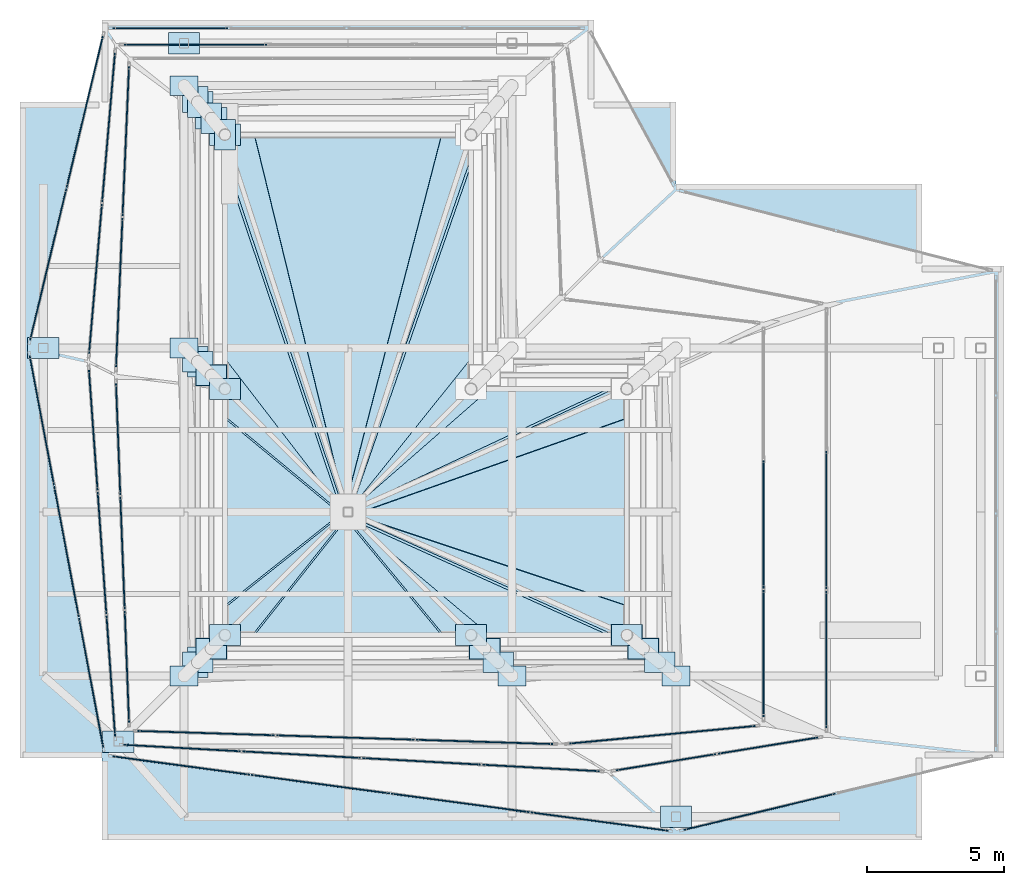
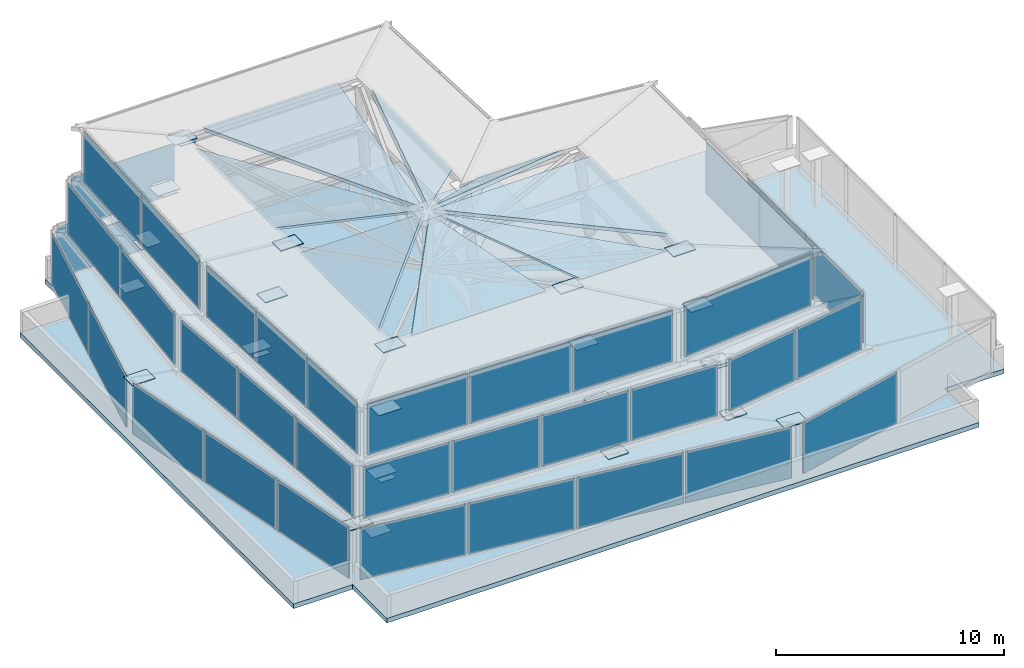
# One storey, part 12 of 15: 75 plates, 9 slabs, 16 elements without a shape of their own.
"""IFC4 building model written with IfcOpenShell, lengths in metres."""

from ifc_helpers import new_model, si_unit, direction, frame, origin, origin_2d, place, context, subcontext, project, spatial, polyline, rectangle, outline, extrude, material, layer, layer_set, type_object, element, aggregate, save


model = new_model("IFC4")

# Units and contexts
model_context = context("Model", 3, precision=1e-05, world=origin(), true_north=direction((0.0, 1.0)))
body_context = subcontext(model_context, "Body", "Model", "MODEL_VIEW")
ifc_project = project(units=[si_unit("LENGTHUNIT", "METRE"), si_unit("AREAUNIT", "SQUARE_METRE"), si_unit("VOLUMEUNIT", "CUBIC_METRE"), si_unit("PLANEANGLEUNIT", "RADIAN"), si_unit("MASSUNIT", "GRAM", prefix="KILO"), si_unit("THERMODYNAMICTEMPERATUREUNIT", "KELVIN"), si_unit("POWERUNIT", "WATT")], contexts=[model_context])

# Site, building, storey
site_placement = place(None, origin())
site = spatial("IfcSite", under=ifc_project, at=site_placement, CompositionType="ELEMENT")
building_placement = place(site_placement, origin())
building = spatial("IfcBuilding", under=site, at=building_placement, Name="Svarakhadi Broadcast Tower", CompositionType="ELEMENT")
storey_placement = place(building_placement, frame((0.0, 0.0, 310.5)))
storey = spatial("IfcBuildingStorey", under=building, at=storey_placement, Name="RF", CompositionType="ELEMENT", Elevation=310.5)

# Curtain wall, plates
ifc_material_1 = material(Name="Anodised Bronze Aluminium AA 6063-T6", Category="aluminium")
ifc_layer_1 = layer(ifc_material_1, 0.260009765625)
ifc_layer_set_1 = layer_set([ifc_layer_1], Name="Anodised Bronze Aluminium AA 6063-T6")
curtain_wall_type = type_object("IfcCurtainWallType", Name="CW_Sys_07", PredefinedType="NOTDEFINED", material=ifc_layer_set_1)
curtain_wall_1_placement = place(storey_placement, origin())
curtain_wall_1 = element("IfcCurtainWall", 1, at=curtain_wall_1_placement, inside=storey, type_object=curtain_wall_type, Name="Crown Tier 1 Faceted Curtain Wall 1", PredefinedType="NOTDEFINED")
ifc_material_2 = material(Name="Triple Laminated Solar-Control Crown Glass 42 mm", Category="glass")
ifc_layer_2 = layer(ifc_material_2, 0.0419921875)
ifc_layer_set_2 = layer_set([ifc_layer_2], Name="Triple Laminated Solar-Control Crown Glass 42 mm")
plate_type_1 = type_object("IfcPlateType", Name="CW_Sys_07_Pnl", PredefinedType="CURTAIN_PANEL", material=ifc_layer_set_2)
plate_1_placement = place(storey_placement, frame((5.8984375, 2.72509765625, 0.08984375), z_axis=(0.0, 0.0, 1.0), x_axis=(0.991144626711, -0.132786779994, 0.0)))
plate_1 = element("IfcPlate", 2, at=plate_1_placement, type_object=plate_type_1, Name="CW-07 panel 1.1", PredefinedType="CURTAIN_PANEL", context=body_context, shape_type="SweptSolid", body=[
    extrude(rectangle(XDim=5.026611328125, YDim=0.0419921875, at=origin_2d()), origin(), (0.0, 0.0, 1.0), 2.719970703125),
])
plate_2_placement = place(storey_placement, frame((10.991943359375, 2.042724609375, 0.08984375), z_axis=(0.0, 0.0, 1.0), x_axis=(0.991144626711, -0.132786779994, 0.0)))
plate_2 = element("IfcPlate", 3, at=plate_2_placement, type_object=plate_type_1, Name="CW-07 panel 2.1", PredefinedType="CURTAIN_PANEL", context=body_context, shape_type="SweptSolid", body=[
    extrude(rectangle(XDim=5.07177734375, YDim=0.0419921875, at=origin_2d()), origin(), (0.0, 0.0, 1.0), 2.719970703125),
])
plate_3_placement = place(storey_placement, frame((16.10791015625, 1.357421875, 0.08984375), z_axis=(0.0, 0.0, 1.0), x_axis=(0.991144626711, -0.132786779994, 0.0)))
plate_3 = element("IfcPlate", 4, at=plate_3_placement, type_object=plate_type_1, Name="CW-07 panel 3.1", PredefinedType="CURTAIN_PANEL", context=body_context, shape_type="SweptSolid", body=[
    extrude(rectangle(XDim=5.07177734375, YDim=0.0419921875, at=origin_2d()), origin(), (0.0, 0.0, 1.0), 2.719970703125),
])
plate_4_placement = place(storey_placement, frame((21.20166015625, 0.6748046875, 0.08984375), z_axis=(0.0, 0.0, 1.0), x_axis=(0.991144626711, -0.132786779994, 0.0)))
plate_4 = element("IfcPlate", 5, at=plate_4_placement, type_object=plate_type_1, Name="CW-07 panel 4.1", PredefinedType="CURTAIN_PANEL", context=body_context, shape_type="SweptSolid", body=[
    extrude(rectangle(XDim=5.026611328125, YDim=0.0419921875, at=origin_2d()), origin(), (0.0, 0.0, 1.0), 2.719970703125),
])
aggregate(curtain_wall_1, [plate_1, plate_2, plate_3, plate_4])

# Curtain wall, plate
curtain_wall_2_placement = place(storey_placement, origin())
curtain_wall_2 = element("IfcCurtainWall", 6, at=curtain_wall_2_placement, inside=storey, type_object=curtain_wall_type, Name="Crown Tier 1 Faceted Curtain Wall 2", PredefinedType="NOTDEFINED")
plate_5_placement = place(storey_placement, frame((27.053955078125, 1.03076171875, 0.08984375), z_axis=(0.0, 0.0, 1.0), x_axis=(0.972537468468, 0.232746369309, 0.0)))
plate_5 = element("IfcPlate", 7, at=plate_5_placement, type_object=plate_type_1, Name="CW-07 panel 1.1", PredefinedType="CURTAIN_PANEL", context=body_context, shape_type="SweptSolid", body=[
    extrude(rectangle(XDim=5.66015625, YDim=0.0419921875, at=origin_2d()), origin(), (0.0, 0.0, 1.0), 2.719970703125),
])
aggregate(curtain_wall_2, [plate_5])

curtain_wall_3_placement = place(storey_placement, origin())
curtain_wall_3 = element("IfcCurtainWall", 8, at=curtain_wall_3_placement, inside=storey, type_object=curtain_wall_type, Name="Crown Tier 1 Faceted Curtain Wall 6", PredefinedType="NOTDEFINED")
plate_6_placement = place(storey_placement, frame((5.5, 29.699951171875, 0.08984375), z_axis=(0.0, 0.0, 1.0), x_axis=(-1.0, 0.0, 0.0)))
plate_6 = element("IfcPlate", 9, at=plate_6_placement, type_object=plate_type_1, Name="CW-07 panel 4.1", PredefinedType="CURTAIN_PANEL", context=body_context, shape_type="SweptSolid", body=[
    extrude(rectangle(XDim=4.179931640625, YDim=0.0419921875, at=origin_2d()), origin(), (0.0, 0.0, 1.0), 2.719970703125),
])
aggregate(curtain_wall_3, [plate_6])

# Curtain wall, plates
curtain_wall_4_placement = place(storey_placement, origin())
curtain_wall_4 = element("IfcCurtainWall", 10, at=curtain_wall_4_placement, inside=storey, type_object=curtain_wall_type, Name="Crown Tier 1 Faceted Curtain Wall 7", PredefinedType="NOTDEFINED")
plate_7_placement = place(storey_placement, frame((2.369140625, 26.64599609375, 0.08984375), z_axis=(0.0, 0.0, 1.0), x_axis=(-0.232746369309, -0.972537468468, 0.0)))
plate_7 = element("IfcPlate", 11, at=plate_7_placement, type_object=plate_type_1, Name="CW-07 panel 1.1", PredefinedType="CURTAIN_PANEL", context=body_context, shape_type="SweptSolid", body=[
    extrude(rectangle(XDim=5.66015625, YDim=0.0419921875, at=origin_2d()), origin(), (0.0, 0.0, 1.0), 2.719970703125),
])
plate_8_placement = place(storey_placement, frame((1.03076171875, 21.053955078125, 0.08984375), z_axis=(0.0, 0.0, 1.0), x_axis=(-0.232746369309, -0.972537468468, 0.0)))
plate_8 = element("IfcPlate", 12, at=plate_8_placement, type_object=plate_type_1, Name="CW-07 panel 2.1", PredefinedType="CURTAIN_PANEL", context=body_context, shape_type="SweptSolid", body=[
    extrude(rectangle(XDim=5.66015625, YDim=0.0419921875, at=origin_2d()), origin(), (0.0, 0.0, 1.0), 2.719970703125),
])
aggregate(curtain_wall_4, [plate_7, plate_8])

curtain_wall_5_placement = place(storey_placement, origin())
curtain_wall_5 = element("IfcCurtainWall", 13, at=curtain_wall_5_placement, inside=storey, type_object=curtain_wall_type, Name="Crown Tier 1 Faceted Curtain Wall 8", PredefinedType="NOTDEFINED")
plate_9_placement = place(storey_placement, frame((0.7978515625, 15.350341796875, 0.08984375), z_axis=(0.0, 0.0, 1.0), x_axis=(0.184690465344, -0.982796739927, 0.0)))
plate_9 = element("IfcPlate", 14, at=plate_9_placement, type_object=plate_type_1, Name="CW-07 panel 1.1", PredefinedType="CURTAIN_PANEL", context=body_context, shape_type="SweptSolid", body=[
    extrude(rectangle(XDim=4.77197265625, YDim=0.0419921875, at=origin_2d()), origin(), (0.0, 0.0, 1.0), 2.719970703125),
])
plate_10_placement = place(storey_placement, frame((1.699951171875, 10.550048828125, 0.08984375), z_axis=(0.0, 0.0, 1.0), x_axis=(0.184690465344, -0.982796739927, 0.0)))
plate_10 = element("IfcPlate", 15, at=plate_10_placement, type_object=plate_type_1, Name="CW-07 panel 2.1", PredefinedType="CURTAIN_PANEL", context=body_context, shape_type="SweptSolid", body=[
    extrude(rectangle(XDim=4.81689453125, YDim=0.0419921875, at=origin_2d()), origin(), (0.0, 0.0, 1.0), 2.719970703125),
])
plate_11_placement = place(storey_placement, frame((2.60205078125, 5.74951171875, 0.08984375), z_axis=(0.0, 0.0, 1.0), x_axis=(0.184690465344, -0.982796739927, 0.0)))
plate_11 = element("IfcPlate", 16, at=plate_11_placement, type_object=plate_type_1, Name="CW-07 panel 3.1", PredefinedType="CURTAIN_PANEL", context=body_context, shape_type="SweptSolid", body=[
    extrude(rectangle(XDim=4.77197265625, YDim=0.0419921875, at=origin_2d()), origin(), (0.0, 0.0, 1.0), 2.719970703125),
])
aggregate(curtain_wall_5, [plate_9, plate_10, plate_11])

curtain_wall_6_placement = place(storey_placement, origin())
curtain_wall_6 = element("IfcCurtainWall", 17, at=curtain_wall_6_placement, inside=storey, type_object=curtain_wall_type, Name="Crown Tier 2 Faceted Curtain Wall 1", PredefinedType="NOTDEFINED")
plate_12_placement = place(storey_placement, frame((5.937255859375, 3.364501953125, 2.990234375), z_axis=(0.0, 0.0, 1.0), x_axis=(0.998460318216, -0.055470649433, 0.0)))
plate_12 = element("IfcPlate", 18, at=plate_12_placement, type_object=plate_type_1, Name="CW-07 panel 1.1", PredefinedType="CURTAIN_PANEL", context=body_context, shape_type="SweptSolid", body=[
    extrude(rectangle(XDim=4.261962890625, YDim=0.0419921875, at=origin_2d()), origin(), (0.0, 0.0, 1.0), 2.719970703125),
])
plate_13_placement = place(storey_placement, frame((10.304931640625, 3.1220703125, 2.990234375), z_axis=(0.0, 0.0, 1.0), x_axis=(0.998460318216, -0.055470649433, 0.0)))
plate_13 = element("IfcPlate", 19, at=plate_13_placement, type_object=plate_type_1, Name="CW-07 panel 2.1", PredefinedType="CURTAIN_PANEL", context=body_context, shape_type="SweptSolid", body=[
    extrude(rectangle(XDim=4.306884765625, YDim=0.0419921875, at=origin_2d()), origin(), (0.0, 0.0, 1.0), 2.719970703125),
])
plate_14_placement = place(storey_placement, frame((14.695068359375, 2.8779296875, 2.990234375), z_axis=(0.0, 0.0, 1.0), x_axis=(0.998460318216, -0.055470649433, 0.0)))
plate_14 = element("IfcPlate", 20, at=plate_14_placement, type_object=plate_type_1, Name="CW-07 panel 3.1", PredefinedType="CURTAIN_PANEL", context=body_context, shape_type="SweptSolid", body=[
    extrude(rectangle(XDim=4.306884765625, YDim=0.0419921875, at=origin_2d()), origin(), (0.0, 0.0, 1.0), 2.719970703125),
])
plate_15_placement = place(storey_placement, frame((19.062744140625, 2.635498046875, 2.990234375), z_axis=(0.0, 0.0, 1.0), x_axis=(0.998460318216, -0.055470649433, 0.0)))
plate_15 = element("IfcPlate", 21, at=plate_15_placement, type_object=plate_type_1, Name="CW-07 panel 4.1", PredefinedType="CURTAIN_PANEL", context=body_context, shape_type="SweptSolid", body=[
    extrude(rectangle(XDim=4.261962890625, YDim=0.0419921875, at=origin_2d()), origin(), (0.0, 0.0, 1.0), 2.719970703125),
])
aggregate(curtain_wall_6, [plate_12, plate_13, plate_14, plate_15])

curtain_wall_7_placement = place(storey_placement, origin())
curtain_wall_7 = element("IfcCurtainWall", 22, at=curtain_wall_7_placement, inside=storey, type_object=curtain_wall_type, Name="Crown Tier 2 Faceted Curtain Wall 2", PredefinedType="NOTDEFINED")
plate_16_placement = place(storey_placement, frame((23.630859375, 2.84619140625, 2.990234375), z_axis=(0.0, 0.0, 1.0), x_axis=(0.987052941176, 0.16039479828, 0.0)))
plate_16 = element("IfcPlate", 23, at=plate_16_placement, type_object=plate_type_1, Name="CW-07 panel 1.1", PredefinedType="CURTAIN_PANEL", context=body_context, shape_type="SweptSolid", body=[
    extrude(rectangle(XDim=3.697509765625, YDim=0.0419921875, at=origin_2d()), origin(), (0.0, 0.0, 1.0), 2.719970703125),
])
plate_17_placement = place(storey_placement, frame((27.369140625, 3.453857421875, 2.990234375), z_axis=(0.0, 0.0, 1.0), x_axis=(0.987052941176, 0.16039479828, 0.0)))
plate_17 = element("IfcPlate", 24, at=plate_17_placement, type_object=plate_type_1, Name="CW-07 panel 2.1", PredefinedType="CURTAIN_PANEL", context=body_context, shape_type="SweptSolid", body=[
    extrude(rectangle(XDim=3.697509765625, YDim=0.0419921875, at=origin_2d()), origin(), (0.0, 0.0, 1.0), 2.719970703125),
])
aggregate(curtain_wall_7, [plate_16, plate_17])

curtain_wall_8_placement = place(storey_placement, origin())
curtain_wall_8 = element("IfcCurtainWall", 25, at=curtain_wall_8_placement, inside=storey, type_object=curtain_wall_type, Name="Crown Tier 2 Faceted Curtain Wall 3", PredefinedType="NOTDEFINED")
plate_18_placement = place(storey_placement, frame((29.5, 6.6025390625, 2.990234375), z_axis=(0.0, 0.0, 1.0), x_axis=(0.0, 1.0, 0.0)))
plate_18 = element("IfcPlate", 26, at=plate_18_placement, type_object=plate_type_1, Name="CW-07 panel 1.1", PredefinedType="CURTAIN_PANEL", context=body_context, shape_type="SweptSolid", body=[
    extrude(rectangle(XDim=4.985107421875, YDim=0.0419921875, at=origin_2d()), origin(), (0.0, 0.0, 1.0), 2.719970703125),
])
plate_19_placement = place(storey_placement, frame((29.5, 11.699951171875, 2.990234375), z_axis=(0.0, 0.0, 1.0), x_axis=(0.0, 1.0, 0.0)))
plate_19 = element("IfcPlate", 27, at=plate_19_placement, type_object=plate_type_1, Name="CW-07 panel 2.1", PredefinedType="CURTAIN_PANEL", context=body_context, shape_type="SweptSolid", body=[
    extrude(rectangle(XDim=5.030029296875, YDim=0.0419921875, at=origin_2d()), origin(), (0.0, 0.0, 1.0), 2.719970703125),
])
aggregate(curtain_wall_8, [plate_18, plate_19])

# Curtain wall, plate
curtain_wall_9_placement = place(storey_placement, origin())
curtain_wall_9 = element("IfcCurtainWall", 28, at=curtain_wall_9_placement, inside=storey, type_object=curtain_wall_type, Name="Crown Tier 2 Faceted Curtain Wall 6", PredefinedType="NOTDEFINED")
plate_20_placement = place(storey_placement, frame((6.419189453125, 29.10009765625, 2.990234375), z_axis=(0.0, 0.0, 1.0), x_axis=(-1.0, 0.0, 0.0)))
plate_20 = element("IfcPlate", 29, at=plate_20_placement, type_object=plate_type_1, Name="CW-07 panel 3.1", PredefinedType="CURTAIN_PANEL", context=body_context, shape_type="SweptSolid", body=[
    extrude(rectangle(XDim=5.21826171875, YDim=0.0419921875, at=origin_2d()), origin(), (0.0, 0.0, 1.0), 2.719970703125),
])
aggregate(curtain_wall_9, [plate_20])

# Curtain wall, plates
curtain_wall_10_placement = place(storey_placement, origin())
curtain_wall_10 = element("IfcCurtainWall", 30, at=curtain_wall_10_placement, inside=storey, type_object=curtain_wall_type, Name="Crown Tier 2 Faceted Curtain Wall 7", PredefinedType="NOTDEFINED")
plate_21_placement = place(storey_placement, frame((3.238525390625, 26.06787109375, 2.990234375), z_axis=(0.0, 0.0, 1.0), x_axis=(-0.085887731099, -0.996304821652, 0.0)))
plate_21 = element("IfcPlate", 31, at=plate_21_placement, type_object=plate_type_1, Name="CW-07 panel 1.1", PredefinedType="CURTAIN_PANEL", context=body_context, shape_type="SweptSolid", body=[
    extrude(rectangle(XDim=5.466552734375, YDim=0.0419921875, at=origin_2d()), origin(), (0.0, 0.0, 1.0), 2.719970703125),
])
plate_22_placement = place(storey_placement, frame((2.761474609375, 20.531982421875, 2.990234375), z_axis=(0.0, 0.0, 1.0), x_axis=(-0.085887731099, -0.996304821652, 0.0)))
plate_22 = element("IfcPlate", 32, at=plate_22_placement, type_object=plate_type_1, Name="CW-07 panel 2.1", PredefinedType="CURTAIN_PANEL", context=body_context, shape_type="SweptSolid", body=[
    extrude(rectangle(XDim=5.466552734375, YDim=0.0419921875, at=origin_2d()), origin(), (0.0, 0.0, 1.0), 2.719970703125),
])
aggregate(curtain_wall_10, [plate_21, plate_22])

curtain_wall_11_placement = place(storey_placement, origin())
curtain_wall_11 = element("IfcCurtainWall", 33, at=curtain_wall_11_placement, inside=storey, type_object=curtain_wall_type, Name="Crown Tier 2 Faceted Curtain Wall 8", PredefinedType="NOTDEFINED")
plate_23_placement = place(storey_placement, frame((2.6787109375, 14.998046875, 2.990234375), z_axis=(0.0, 0.0, 1.0), x_axis=(0.071242868326, -0.997458998512, 0.0)))
plate_23 = element("IfcPlate", 34, at=plate_23_placement, type_object=plate_type_1, Name="CW-07 panel 1.1", PredefinedType="CURTAIN_PANEL", context=body_context, shape_type="SweptSolid", body=[
    extrude(rectangle(XDim=4.39697265625, YDim=0.0419921875, at=origin_2d()), origin(), (0.0, 0.0, 1.0), 2.719970703125),
])
plate_24_placement = place(storey_placement, frame((3.0, 10.5, 2.990234375), z_axis=(0.0, 0.0, 1.0), x_axis=(0.071242868326, -0.997458998512, 0.0)))
plate_24 = element("IfcPlate", 35, at=plate_24_placement, type_object=plate_type_1, Name="CW-07 panel 2.1", PredefinedType="CURTAIN_PANEL", context=body_context, shape_type="SweptSolid", body=[
    extrude(rectangle(XDim=4.44189453125, YDim=0.0419921875, at=origin_2d()), origin(), (0.0, 0.0, 1.0), 2.719970703125),
])
plate_25_placement = place(storey_placement, frame((3.3212890625, 6.001953125, 2.990234375), z_axis=(0.0, 0.0, 1.0), x_axis=(0.071242868326, -0.997458998512, 0.0)))
plate_25 = element("IfcPlate", 36, at=plate_25_placement, type_object=plate_type_1, Name="CW-07 panel 3.1", PredefinedType="CURTAIN_PANEL", context=body_context, shape_type="SweptSolid", body=[
    extrude(rectangle(XDim=4.39697265625, YDim=0.0419921875, at=origin_2d()), origin(), (0.0, 0.0, 1.0), 2.719970703125),
])
aggregate(curtain_wall_11, [plate_23, plate_24, plate_25])

curtain_wall_12_placement = place(storey_placement, origin())
curtain_wall_12 = element("IfcCurtainWall", 37, at=curtain_wall_12_placement, inside=storey, type_object=curtain_wall_type, Name="Crown Tier 3 Faceted Curtain Wall 1", PredefinedType="NOTDEFINED")
plate_26_placement = place(storey_placement, frame((6.802490234375, 3.911376953125, 5.89013671875), z_axis=(0.0, 0.0, 1.0), x_axis=(0.999499823974, -0.031624387345, 0.0)))
plate_26 = element("IfcPlate", 38, at=plate_26_placement, type_object=plate_type_1, Name="CW-07 panel 1.1", PredefinedType="CURTAIN_PANEL", context=body_context, shape_type="SweptSolid", body=[
    extrude(rectangle(XDim=4.987548828125, YDim=0.0419921875, at=origin_2d()), origin(), (0.0, 0.0, 1.0), 2.719970703125),
])
plate_27_placement = place(storey_placement, frame((11.89990234375, 3.75, 5.89013671875), z_axis=(0.0, 0.0, 1.0), x_axis=(0.999499823974, -0.031624387345, 0.0)))
plate_27 = element("IfcPlate", 39, at=plate_27_placement, type_object=plate_type_1, Name="CW-07 panel 2.1", PredefinedType="CURTAIN_PANEL", context=body_context, shape_type="SweptSolid", body=[
    extrude(rectangle(XDim=5.03271484375, YDim=0.0419921875, at=origin_2d()), origin(), (0.0, 0.0, 1.0), 2.719970703125),
])
plate_28_placement = place(storey_placement, frame((16.99755859375, 3.588623046875, 5.89013671875), z_axis=(0.0, 0.0, 1.0), x_axis=(0.999499823974, -0.031624387345, 0.0)))
plate_28 = element("IfcPlate", 40, at=plate_28_placement, type_object=plate_type_1, Name="CW-07 panel 3.1", PredefinedType="CURTAIN_PANEL", context=body_context, shape_type="SweptSolid", body=[
    extrude(rectangle(XDim=4.987548828125, YDim=0.0419921875, at=origin_2d()), origin(), (0.0, 0.0, 1.0), 2.719970703125),
])
aggregate(curtain_wall_12, [plate_26, plate_27, plate_28])

# Curtain wall, plate
curtain_wall_13_placement = place(storey_placement, origin())
curtain_wall_13 = element("IfcCurtainWall", 41, at=curtain_wall_13_placement, inside=storey, type_object=curtain_wall_type, Name="Crown Tier 3 Faceted Curtain Wall 2", PredefinedType="NOTDEFINED")
plate_29_placement = place(storey_placement, frame((23.5, 3.85009765625, 5.89013671875), z_axis=(0.0, 0.0, 1.0), x_axis=(0.995555300285, 0.094178787815, 0.0)))
plate_29 = element("IfcPlate", 42, at=plate_29_placement, type_object=plate_type_1, Name="CW-07 panel 1.1", PredefinedType="CURTAIN_PANEL", context=body_context, shape_type="SweptSolid", body=[
    extrude(rectangle(XDim=6.81298828125, YDim=0.0419921875, at=origin_2d()), origin(), (0.0, 0.0, 1.0), 2.719970703125),
])
aggregate(curtain_wall_13, [plate_29])

# Curtain wall, plates
curtain_wall_14_placement = place(storey_placement, origin())
curtain_wall_14 = element("IfcCurtainWall", 43, at=curtain_wall_14_placement, inside=storey, type_object=curtain_wall_type, Name="Crown Tier 3 Faceted Curtain Wall 3", PredefinedType="NOTDEFINED")
plate_30_placement = place(storey_placement, frame((27.199951171875, 6.819091796875, 5.89013671875), z_axis=(0.0, 0.0, 1.0), x_axis=(0.0, 1.0, 0.0)))
plate_30 = element("IfcPlate", 44, at=plate_30_placement, type_object=plate_type_1, Name="CW-07 panel 1.1", PredefinedType="CURTAIN_PANEL", context=body_context, shape_type="SweptSolid", body=[
    extrude(rectangle(XDim=4.618408203125, YDim=0.0419921875, at=origin_2d()), origin(), (0.0, 0.0, 1.0), 2.719970703125),
])
plate_31_placement = place(storey_placement, frame((27.199951171875, 11.550048828125, 5.89013671875), z_axis=(0.0, 0.0, 1.0), x_axis=(0.0, 1.0, 0.0)))
plate_31 = element("IfcPlate", 45, at=plate_31_placement, type_object=plate_type_1, Name="CW-07 panel 2.1", PredefinedType="CURTAIN_PANEL", context=body_context, shape_type="SweptSolid", body=[
    extrude(rectangle(XDim=4.663330078125, YDim=0.0419921875, at=origin_2d()), origin(), (0.0, 0.0, 1.0), 2.719970703125),
])
aggregate(curtain_wall_14, [plate_30, plate_31])

curtain_wall_15_placement = place(storey_placement, origin())
curtain_wall_15 = element("IfcCurtainWall", 46, at=curtain_wall_15_placement, inside=storey, type_object=curtain_wall_type, Name="Crown Tier 3 Faceted Curtain Wall 7", PredefinedType="NOTDEFINED")
plate_32_placement = place(storey_placement, frame((3.869384765625, 25.567626953125, 5.89013671875), z_axis=(0.0, 0.0, 1.0), x_axis=(-0.043058841143, -0.999072538007, 0.0)))
plate_32 = element("IfcPlate", 47, at=plate_32_placement, type_object=plate_type_1, Name="CW-07 panel 1.1", PredefinedType="CURTAIN_PANEL", context=body_context, shape_type="SweptSolid", body=[
    extrude(rectangle(XDim=5.450439453125, YDim=0.0419921875, at=origin_2d()), origin(), (0.0, 0.0, 1.0), 2.719970703125),
])
plate_33_placement = place(storey_placement, frame((3.630615234375, 20.032470703125, 5.89013671875), z_axis=(0.0, 0.0, 1.0), x_axis=(-0.043058841143, -0.999072538007, 0.0)))
plate_33 = element("IfcPlate", 48, at=plate_33_placement, type_object=plate_type_1, Name="CW-07 panel 2.1", PredefinedType="CURTAIN_PANEL", context=body_context, shape_type="SweptSolid", body=[
    extrude(rectangle(XDim=5.450439453125, YDim=0.0419921875, at=origin_2d()), origin(), (0.0, 0.0, 1.0), 2.719970703125),
])
aggregate(curtain_wall_15, [plate_32, plate_33])

curtain_wall_16_placement = place(storey_placement, origin())
curtain_wall_16 = element("IfcCurtainWall", 49, at=curtain_wall_16_placement, inside=storey, type_object=curtain_wall_type, Name="Crown Tier 3 Faceted Curtain Wall 8", PredefinedType="NOTDEFINED")
plate_34_placement = place(storey_placement, frame((3.58984375, 14.664306640625, 5.89013671875), z_axis=(0.0, 0.0, 1.0), x_axis=(0.038425789272, -0.999261456636, 0.0)))
plate_34 = element("IfcPlate", 50, at=plate_34_placement, type_object=plate_type_1, Name="CW-07 panel 1.1", PredefinedType="CURTAIN_PANEL", context=body_context, shape_type="SweptSolid", body=[
    extrude(rectangle(XDim=4.054931640625, YDim=0.0419921875, at=origin_2d()), origin(), (0.0, 0.0, 1.0), 2.719970703125),
])
plate_35_placement = place(storey_placement, frame((3.75, 10.5, 5.89013671875), z_axis=(0.0, 0.0, 1.0), x_axis=(0.038425789272, -0.999261456636, 0.0)))
plate_35 = element("IfcPlate", 51, at=plate_35_placement, type_object=plate_type_1, Name="CW-07 panel 2.1", PredefinedType="CURTAIN_PANEL", context=body_context, shape_type="SweptSolid", body=[
    extrude(rectangle(XDim=4.099853515625, YDim=0.0419921875, at=origin_2d()), origin(), (0.0, 0.0, 1.0), 2.719970703125),
])
plate_36_placement = place(storey_placement, frame((3.91015625, 6.335693359375, 5.89013671875), z_axis=(0.0, 0.0, 1.0), x_axis=(0.038425789272, -0.999261456636, 0.0)))
plate_36 = element("IfcPlate", 52, at=plate_36_placement, type_object=plate_type_1, Name="CW-07 panel 3.1", PredefinedType="CURTAIN_PANEL", context=body_context, shape_type="SweptSolid", body=[
    extrude(rectangle(XDim=4.054931640625, YDim=0.0419921875, at=origin_2d()), origin(), (0.0, 0.0, 1.0), 2.719970703125),
])
aggregate(curtain_wall_16, [plate_34, plate_35, plate_36])

# Plates
ifc_material_3 = material(Name="Steel S460ML (IS 2062 E450BR)", Category="steel")
ifc_layer_3 = layer(ifc_material_3, 0.031982421875)
ifc_layer_set_3 = layer_set([ifc_layer_3], Name="Steel S460ML (IS 2062 E450BR)")
plate_type_2 = type_object("IfcPlateType", Name="Cap_Plate_CP01", PredefinedType="USERDEFINED", material=ifc_layer_set_3)
for number, where, z_axis, x_axis, name in (
    (53, (6.0, 6.0, 0.0), (0.0, 0.0, 1.0), (1.0, 0.0, 0.0), "Crown Spire Leg Baseplate SL-01-BP01"),
    (54, (18.0, 6.0, 0.0), (0.0, 0.0, 1.0), (1.0, 0.0, 0.0), "Crown Spire Leg Baseplate SL-01-BP02"),
    (55, (24.0, 6.0, 0.0), (0.0, 0.0, 1.0), (1.0, 0.0, 0.0), "Crown Spire Leg Baseplate SL-01-BP03"),
    (56, (6.0, 27.60009765625, 0.0), (0.0, 0.0, 1.0), (1.0, 0.0, 0.0), "Crown Spire Leg Baseplate SL-01-BP07"),
    (57, (6.0, 18.0, 0.0), (0.0, 0.0, 1.0), (1.0, 0.0, 0.0), "Crown Spire Leg Baseplate SL-01-BP08"),
):
    element("IfcPlate", number, at=place(storey_placement, frame(where, z_axis=z_axis, x_axis=x_axis)), inside=storey, type_object=plate_type_2, Name=name, ObjectType="FLANGE_PLATE", PredefinedType="USERDEFINED", context=body_context, shape_type="SweptSolid", body=[
        extrude(rectangle(XDim=1.02001953125, YDim=0.719970703125, at=origin_2d()), origin(), (0.0, 0.0, 1.0), 0.031982421875),
    ])
ifc_layer_4 = layer(ifc_material_3, 0.034912109375)
ifc_layer_set_4 = layer_set([ifc_layer_4], Name="Steel S460ML (IS 2062 E450BR)")
plate_type_3 = type_object("IfcPlateType", Name="Outrigger_Node_ON03", PredefinedType="SHEET", material=ifc_layer_set_4)
for number, where, z_axis, x_axis, name in (
    (58, (6.5, 6.5, 2.70263671875), (0.0, 0.0, 1.0), (1.0, 0.0, 0.0), "RF Brace End Connection Gusset Plate ON-03-E0708"),
    (59, (17.5, 6.5, 2.552734375), (0.0, 0.0, 1.0), (1.0, 0.0, 0.0), "RF Brace End Connection Gusset Plate ON-03-E0709"),
    (60, (17.5, 6.5, 2.70263671875), (0.0, 0.0, 1.0), (1.0, 0.0, 0.0), "RF Brace End Connection Gusset Plate ON-03-E0710"),
    (61, (23.39990234375, 6.5, 2.552734375), (0.0, 0.0, 1.0), (1.0, 0.0, 0.0), "RF Brace End Connection Gusset Plate ON-03-E0711"),
    (62, (23.39990234375, 6.5, 2.70263671875), (0.0, 0.0, 1.0), (1.0, 0.0, 0.0), "RF Brace End Connection Gusset Plate ON-03-E0712"),
    (63, (6.5, 27.0, 2.552734375), (0.0, 0.0, 1.0), (1.0, 0.0, 0.0), "RF Brace End Connection Gusset Plate ON-03-E0719"),
    (64, (6.5, 27.0, 2.70263671875), (0.0, 0.0, 1.0), (0.0, 1.0, 0.0), "RF Brace End Connection Gusset Plate ON-03-E0720"),
    (65, (6.5, 17.5, 2.552734375), (0.0, 0.0, 1.0), (0.0, 1.0, 0.0), "RF Brace End Connection Gusset Plate ON-03-E0721"),
    (66, (6.5, 17.5, 2.70263671875), (0.0, 0.0, 1.0), (1.0, 0.0, 0.0), "RF Brace End Connection Gusset Plate ON-03-E0722"),
    (67, (6.5, 6.5, 2.552734375), (0.0, 0.0, 1.0), (0.0, 1.0, 0.0), "RF Brace End Connection Gusset Plate ON-03-E0723"),
    (68, (7.0, 7.0, 5.6025390625), (0.0, 0.0, 1.0), (1.0, 0.0, 0.0), "RF Brace End Connection Gusset Plate ON-03-E0724"),
    (69, (17.0, 7.0, 5.6025390625), (0.0, 0.0, 1.0), (1.0, 0.0, 0.0), "RF Brace End Connection Gusset Plate ON-03-E0725"),
    (70, (22.800048828125, 7.0, 5.6025390625), (0.0, 0.0, 1.0), (1.0, 0.0, 0.0), "RF Brace End Connection Gusset Plate ON-03-E0726"),
    (71, (7.0, 26.39990234375, 5.6025390625), (0.0, 0.0, 1.0), (0.0, 1.0, 0.0), "RF Brace End Connection Gusset Plate ON-03-E0730"),
    (72, (7.0, 17.0, 5.6025390625), (0.0, 0.0, 1.0), (1.0, 0.0, 0.0), "RF Brace End Connection Gusset Plate ON-03-E0731"),
    (73, (7.5, 7.5, 8.50244140625), (0.0, 0.0, 1.0), (1.0, 0.0, 0.0), "RF Brace End Connection Gusset Plate ON-03-E0732"),
    (74, (16.5, 7.5, 8.50244140625), (0.0, 0.0, 1.0), (1.0, 0.0, 0.0), "RF Brace End Connection Gusset Plate ON-03-E0733"),
    (75, (22.199951171875, 7.5, 8.50244140625), (0.0, 0.0, 1.0), (1.0, 0.0, 0.0), "RF Brace End Connection Gusset Plate ON-03-E0734"),
    (76, (7.5, 25.800048828125, 8.50244140625), (0.0, 0.0, 1.0), (0.0, 1.0, 0.0), "RF Brace End Connection Gusset Plate ON-03-E0738"),
    (77, (7.5, 16.5, 8.50244140625), (0.0, 0.0, 1.0), (1.0, 0.0, 0.0), "RF Brace End Connection Gusset Plate ON-03-E0739"),
):
    element("IfcPlate", number, at=place(storey_placement, frame(where, z_axis=z_axis, x_axis=x_axis)), inside=storey, type_object=plate_type_3, Name=name, PredefinedType="SHEET", context=body_context, shape_type="SweptSolid", body=[
        extrude(rectangle(XDim=1.1201171875, YDim=0.760009765625, at=origin_2d()), origin(), (0.0, 0.0, 1.0), 0.034912109375),
    ])

# Slabs
ifc_material_4 = material(Name="Concrete C40/50 (IS 456 M50)", Category="concrete")
ifc_layer_5 = layer(ifc_material_4, 0.179931640625)
ifc_layer_set_5 = layer_set([ifc_layer_5], Name="Concrete C40/50 (IS 456 M50)")
slab_type_1 = type_object("IfcSlabType", Name="Slab_CrownFacet", PredefinedType="ROOF", material=ifc_layer_set_5)
slab_1_placement = place(storey_placement, frame((8.580078125, 7.5, 8.672119140625), z_axis=(0.0, -0.550006194493, 0.835160574991), x_axis=(1.0, 0.0, 0.0)))
element("IfcSlab", 78, at=slab_1_placement, inside=storey, type_object=slab_type_1, Name="Crown Spire Apex Sloped Facet Slab 1", PredefinedType="ROOF", context=body_context, shape_type="SweptSolid", body=[
    extrude(outline(polyline([(0.0, 0.0), (6.83984375, 0.0), (3.349853515625, 5.05054681031767), (0.0, 0.0)])), origin(), (0.0, 0.0, -1.0), 0.179931640625),
])
slab_2_placement = place(storey_placement, frame((17.18408203125, 7.5, 8.672119140625), z_axis=(0.0, -0.550006194493, 0.835160574991), x_axis=(1.0, 0.0, 0.0)))
element("IfcSlab", 79, at=slab_2_placement, inside=storey, type_object=slab_type_1, Name="Crown Spire Apex Sloped Facet Slab 2", PredefinedType="ROOF", context=body_context, shape_type="SweptSolid", body=[
    extrude(outline(polyline([(0.0, 0.0), (4.33203125, 0.0), (-5.0390625, 5.05054681031767), (0.0, 0.0)])), origin(), (0.0, 0.0, -1.0), 0.179931640625),
])
slab_3_placement = place(storey_placement, frame((22.199951171875, 8.580078125, 8.695068359375), z_axis=(0.268421274039, 0.0, 0.963301624437), x_axis=(0.0, 1.0, 0.0)))
element("IfcSlab", 80, at=slab_3_placement, inside=storey, type_object=slab_type_1, Name="Crown Spire Apex Sloped Facet Slab 3", PredefinedType="ROOF", context=body_context, shape_type="SweptSolid", body=[
    extrude(outline(polyline([(0.0, 0.0), (6.83984375, 0.0), (3.31982421875, 10.348777462563108), (0.0, 0.0)])), origin(), (0.0, 0.0, -1.0), 0.179931640625),
])
slab_4_placement = place(storey_placement, frame((21.51611328125, 16.5, 8.674072265625), z_axis=(0.0, 0.536634377929, 0.843814875684), x_axis=(-1.0, 0.0, 0.0)))
element("IfcSlab", 81, at=slab_4_placement, inside=storey, type_object=slab_type_1, Name="Crown Spire Apex Sloped Facet Slab 4", PredefinedType="ROOF", context=body_context, shape_type="SweptSolid", body=[
    extrude(outline(polyline([(0.0, 0.0), (4.33203125, 0.0), (9.3330078125, 5.176395969953516), (0.0, 0.0)])), origin(), (0.0, 0.0, -1.0), 0.179931640625),
])
slab_5_placement = place(storey_placement, frame((16.5, 17.615966796875, 8.674072265625), z_axis=(0.537939675018, 0.0, 0.842983336752), x_axis=(0.0, 1.0, 0.0)))
element("IfcSlab", 82, at=slab_5_placement, inside=storey, type_object=slab_type_1, Name="Crown Spire Apex Sloped Facet Slab 5", PredefinedType="ROOF", context=body_context, shape_type="SweptSolid", body=[
    extrude(outline(polyline([(0.0, 0.0), (7.068115234375, 0.0), (-5.432861328125, 5.163835575352267), (0.0, 0.0)])), origin(), (0.0, 0.0, -1.0), 0.179931640625),
])
slab_6_placement = place(storey_placement, frame((15.419921875, 25.800048828125, 8.697998046875), z_axis=(0.0, 0.200405456831, 0.979713046189), x_axis=(-1.0, 0.0, 0.0)))
element("IfcSlab", 83, at=slab_6_placement, inside=storey, type_object=slab_type_1, Name="Crown Spire Apex Sloped Facet Slab 6", PredefinedType="ROOF", context=body_context, shape_type="SweptSolid", body=[
    extrude(outline(polyline([(0.0, 0.0), (6.83984375, 0.0), (3.52001953125, 13.86227808268199), (0.0, 0.0)])), origin(), (0.0, 0.0, -1.0), 0.179931640625),
])
slab_7_placement = place(storey_placement, frame((7.5, 24.68408203125, 8.672119140625), z_axis=(-0.550006194493, 0.0, 0.835160574991), x_axis=(0.0, -1.0, 0.0)))
element("IfcSlab", 84, at=slab_7_placement, inside=storey, type_object=slab_type_1, Name="Crown Spire Apex Sloped Facet Slab 7", PredefinedType="ROOF", context=body_context, shape_type="SweptSolid", body=[
    extrude(outline(polyline([(0.0, 0.0), (7.068115234375, 0.0), (12.5390625, 5.0505468103176705), (0.0, 0.0)])), origin(), (0.0, 0.0, -1.0), 0.179931640625),
])
slab_8_placement = place(storey_placement, frame((7.5, 15.419921875, 8.672119140625), z_axis=(-0.550006194493, 0.0, 0.835160574991), x_axis=(0.0, -1.0, 0.0)))
element("IfcSlab", 85, at=slab_8_placement, inside=storey, type_object=slab_type_1, Name="Crown Spire Apex Sloped Facet Slab 8", PredefinedType="ROOF", context=body_context, shape_type="SweptSolid", body=[
    extrude(outline(polyline([(0.0, 0.0), (6.83984375, 0.0), (3.489990234375, 5.05054681031767), (0.0, 0.0)])), origin(), (0.0, 0.0, -1.0), 0.179931640625),
])

# Plates
ifc_layer_6 = layer(ifc_material_3, 0.035888671875)
ifc_layer_set_6 = layer_set([ifc_layer_6], Name="Steel S460ML (IS 2062 E450BR)")
plate_type_4 = type_object("IfcPlateType", Name="Slab_Crown_Collar", PredefinedType="SHEET", material=ifc_layer_set_6)
for number, where, z_axis, x_axis, name in (
    (86, (3.60009765625, 3.60009765625, 2.72021484375), (0.0, 0.0, 1.0), (1.0, 0.0, 0.0), "Crown Tier 1 Bracing Ring Collar Plate 1"),
    (87, (24.0, 0.85009765625, 2.72021484375), (0.0, 0.0, 1.0), (1.0, 0.0, 0.0), "Crown Tier 1 Bracing Ring Collar Plate 2"),
    (88, (6.0, 29.14990234375, 2.72021484375), (0.0, 0.0, 1.0), (1.0, 0.0, 0.0), "Crown Tier 1 Bracing Ring Collar Plate 7"),
    (89, (0.85009765625, 18.0, 2.72021484375), (0.0, 0.0, 1.0), (1.0, 0.0, 0.0), "Crown Tier 1 Bracing Ring Collar Plate 8"),
    (90, (7.0, 7.0, 5.6201171875), (0.0, 0.0, 1.0), (1.0, 0.0, 0.0), "Crown Tier 2 Bracing Ring Collar Plate 1"),
    (91, (17.0, 7.0, 5.6201171875), (0.0, 0.0, 1.0), (1.0, 0.0, 0.0), "Crown Tier 2 Bracing Ring Collar Plate 2"),
    (92, (22.800048828125, 7.0, 5.6201171875), (0.0, 0.0, 1.0), (1.0, 0.0, 0.0), "Crown Tier 2 Bracing Ring Collar Plate 3"),
    (93, (7.0, 26.39990234375, 5.6201171875), (0.0, 0.0, 1.0), (1.0, 0.0, 0.0), "Crown Tier 2 Bracing Ring Collar Plate 7"),
    (94, (7.0, 17.0, 5.6201171875), (0.0, 0.0, 1.0), (1.0, 0.0, 0.0), "Crown Tier 2 Bracing Ring Collar Plate 8"),
    (95, (7.5, 7.5, 8.52001953125), (0.0, 0.0, 1.0), (1.0, 0.0, 0.0), "Crown Tier 3 Bracing Ring Collar Plate 1"),
    (96, (16.5, 7.5, 8.52001953125), (0.0, 0.0, 1.0), (1.0, 0.0, 0.0), "Crown Tier 3 Bracing Ring Collar Plate 2"),
    (97, (22.199951171875, 7.5, 8.52001953125), (0.0, 0.0, 1.0), (1.0, 0.0, 0.0), "Crown Tier 3 Bracing Ring Collar Plate 3"),
    (98, (7.5, 25.800048828125, 8.52001953125), (0.0, 0.0, 1.0), (1.0, 0.0, 0.0), "Crown Tier 3 Bracing Ring Collar Plate 7"),
    (99, (7.5, 16.5, 8.52001953125), (0.0, 0.0, 1.0), (1.0, 0.0, 0.0), "Crown Tier 3 Bracing Ring Collar Plate 8"),
):
    element("IfcPlate", number, at=place(storey_placement, frame(where, z_axis=z_axis, x_axis=x_axis)), inside=storey, type_object=plate_type_4, Name=name, PredefinedType="SHEET", context=body_context, shape_type="SweptSolid", body=[
        extrude(rectangle(XDim=1.14990234375, YDim=0.780029296875, at=origin_2d()), origin(), (0.0, 0.0, 1.0), 0.035888671875),
    ])

# Slab
ifc_layer_7 = layer(ifc_material_4, 0.25)
ifc_layer_set_7 = layer_set([ifc_layer_7], Name="Concrete C40/50 (IS 456 M50)")
slab_type_2 = type_object("IfcSlabType", Name="Slab_MainRoof", PredefinedType="ROOF", material=ifc_layer_set_7)
slab_9_placement = place(storey_placement, frame((0.0, 0.0, -0.25)))
element("IfcSlab", 100, at=slab_9_placement, inside=storey, type_object=slab_type_2, Name="Main Crown Deck Roof Slab RF", PredefinedType="ROOF", context=body_context, shape_type="SweptSolid", body=[
    extrude(outline(polyline([(3.0, 0.0), (33.0, 0.0), (33.0, 3.0), (36.0, 3.0), (36.0, 21.0), (33.0, 21.0), (33.0, 24.0), (24.0, 24.0), (24.0, 27.0), (21.0, 27.0), (21.0, 30.0), (3.0, 30.0), (3.0, 27.0), (0.0, 27.0), (0.0, 3.0), (3.0, 3.0), (3.0, 0.0)])), origin(), (0.0, 0.0, 1.0), 0.25),
])

save(model, "model.ifc")
